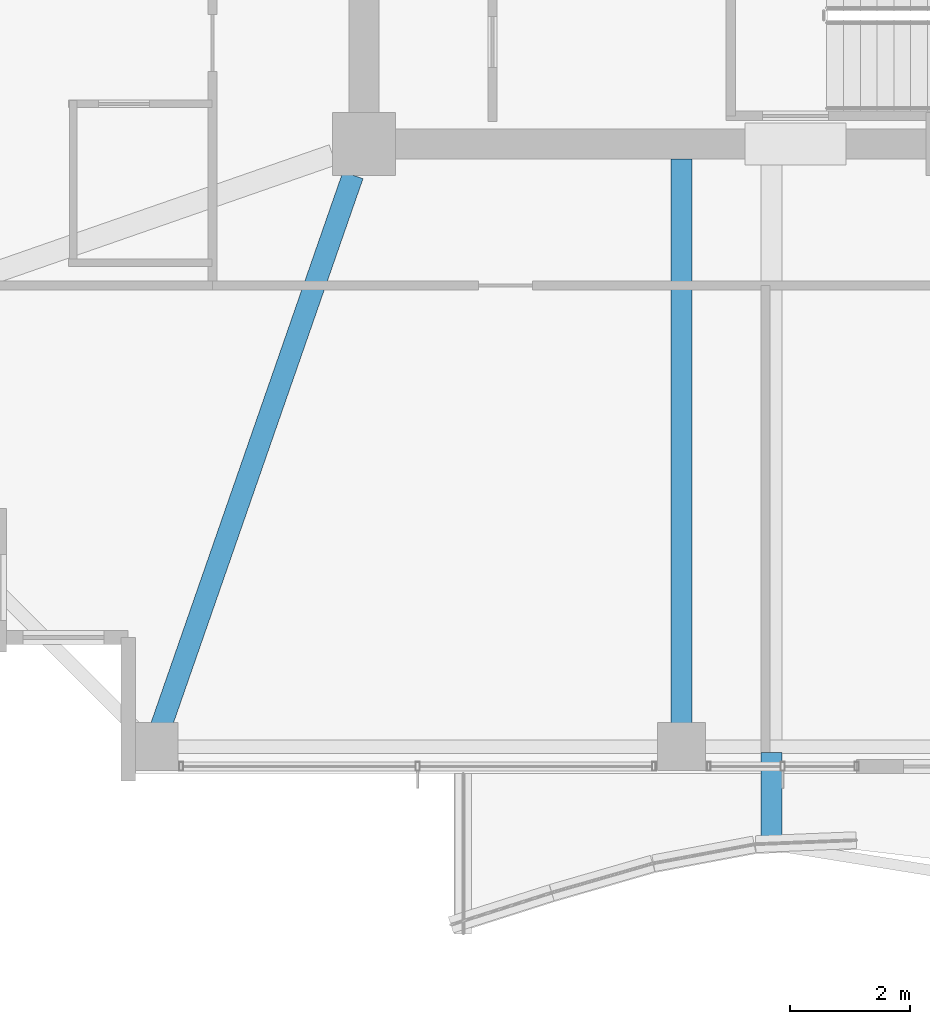
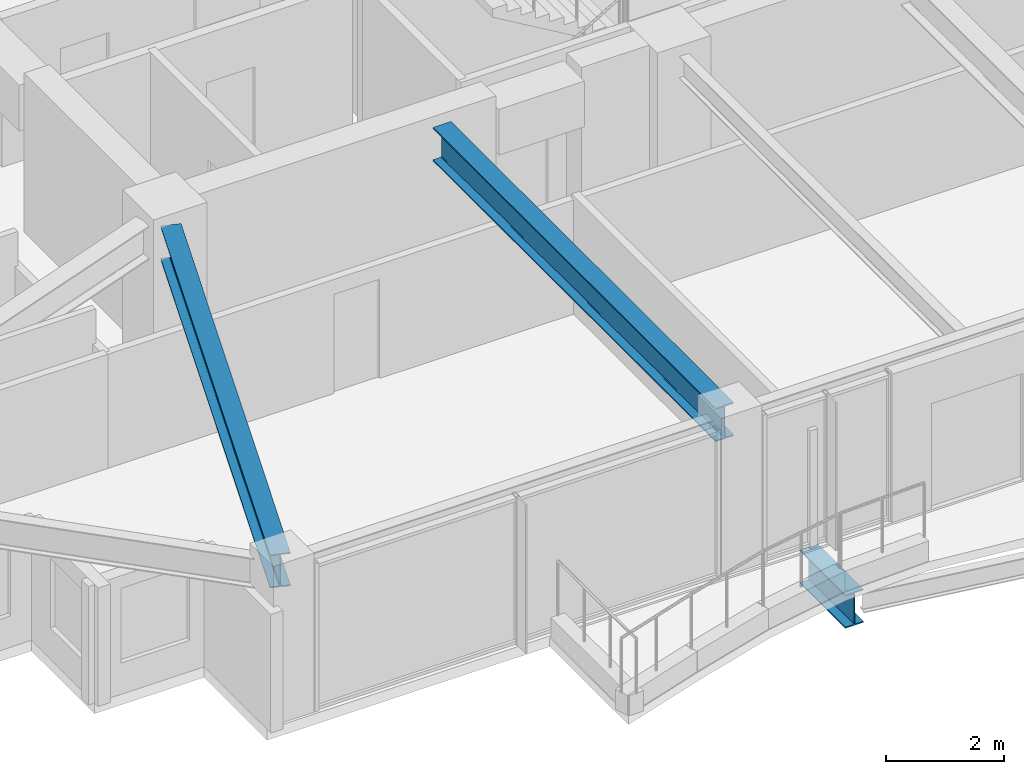
# One storey, part 5 of 36: 3 beams.
"""IFC4 building model written with IfcOpenShell, lengths in metres."""

from ifc_helpers import new_model, si_unit, direction, frame, origin, origin_2d, place, context, subcontext, project, spatial, i_section, extrude, material, material_profile, profile_set, type_object, element, save


model = new_model("IFC4")

# Units and contexts
model_context = context("Model", 3, precision=1e-05, world=origin(), true_north=direction((0.0, 1.0)))
body_context = subcontext(model_context, "Body", "Model", "MODEL_VIEW")
ifc_project = project(units=[si_unit("LENGTHUNIT", "METRE"), si_unit("AREAUNIT", "SQUARE_METRE"), si_unit("VOLUMEUNIT", "CUBIC_METRE"), si_unit("PLANEANGLEUNIT", "RADIAN"), si_unit("MASSUNIT", "GRAM", prefix="KILO")], contexts=[model_context])

# Site, building, storey
site_placement = place(None, origin())
site = spatial("IfcSite", under=ifc_project, at=site_placement, CompositionType="ELEMENT")
building_placement = place(site_placement, origin())
building = spatial("IfcBuilding", under=site, at=building_placement, Name="Kolvaren Belvedere", CompositionType="ELEMENT")
storey_placement = place(building_placement, frame((0.0, 0.0, 199.800048828125)))
storey = spatial("IfcBuildingStorey", under=building, at=storey_placement, Name="L58", CompositionType="ELEMENT", Elevation=199.800048828125)

# Beams
ifc_material_1 = material(Name="Structural steel ASTM A992 Grade 50", Category="steel")
ifc_material_profile_1 = material_profile(ifc_material_1, i_section(OverallWidth=0.35498046875, OverallDepth=0.696044921875, WebThickness=0.015380859375, FlangeThickness=0.02490234375, FilletRadius=0.02197265625, at=origin_2d()), Name="W27X146")
ifc_profile_set_1 = profile_set([ifc_material_profile_1], Name="Structural steel ASTM A992 Grade 50")
beam_type_1 = type_object("IfcBeamType", Name="BM-CANT-BAL", PredefinedType="BEAM", material=ifc_profile_set_1)
beam_1_placement = place(storey_placement, frame((-3.10009765625, -20.044921875, -0.568115234375), z_axis=(0.0, -1.0, 0.0), x_axis=(1.0, 0.0, 0.0)))
element("IfcBeam", 1, at=beam_1_placement, inside=storey, type_object=beam_type_1, Name="L58 Planted Balcony Cantilever BAL-S-1", PredefinedType="BEAM", context=body_context, shape_type="SweptSolid", body=[
    extrude(i_section(OverallWidth=0.35498046875, OverallDepth=0.696044921875, WebThickness=0.015380859375, FlangeThickness=0.02490234375, FilletRadius=0.02197265625, at=origin_2d()), origin(), (0.0, 0.0, 1.0), 1.54052734375),
])
ifc_material_2 = material(Name="Structural steel ASTM A992 Grade 50", Category="steel")
ifc_material_profile_2 = material_profile(ifc_material_2, i_section(OverallWidth=0.35498046875, OverallDepth=0.696044921875, WebThickness=0.015380859375, FlangeThickness=0.02490234375, FilletRadius=0.02197265625, at=origin_2d()), Name="W27X146")
ifc_profile_set_2 = profile_set([ifc_material_profile_2], Name="Structural steel ASTM A992 Grade 50")
beam_type_2 = type_object("IfcBeamType", Name="BM-GIRD-W27X146", PredefinedType="BEAM", material=ifc_profile_set_2)
beam_2_placement = place(storey_placement, frame((-4.60009765625, -10.14990234375, 2.73193359375), z_axis=(0.0, -1.0, 0.0), x_axis=(1.0, 0.0, 0.0)))
element("IfcBeam", 2, at=beam_2_placement, inside=storey, type_object=beam_type_2, Name="L58 South Radial Girder M", PredefinedType="BEAM", context=body_context, shape_type="SweptSolid", body=[
    extrude(i_section(OverallWidth=0.35498046875, OverallDepth=0.696044921875, WebThickness=0.015380859375, FlangeThickness=0.02490234375, FilletRadius=0.02197265625, at=origin_2d()), origin(), (0.0, 0.0, 1.0), 9.6201171875),
])
beam_3_placement = place(storey_placement, frame((-10.080810546875, -10.41943359375, 2.73193359375), z_axis=(-0.328898147971, -0.944365399758, 0.0), x_axis=(0.944365399758, -0.328898147971, 0.0)))
element("IfcBeam", 3, at=beam_3_placement, inside=storey, type_object=beam_type_2, Name="L58 Corner Core-to-Perimeter Girder CC1-S1", PredefinedType="BEAM", context=body_context, shape_type="SweptSolid", body=[
    extrude(i_section(OverallWidth=0.35498046875, OverallDepth=0.696044921875, WebThickness=0.015380859375, FlangeThickness=0.02490234375, FilletRadius=0.02197265625, at=origin_2d()), origin(), (0.0, 0.0, 1.0), 9.931884765625),
])

save(model, "model.ifc")
